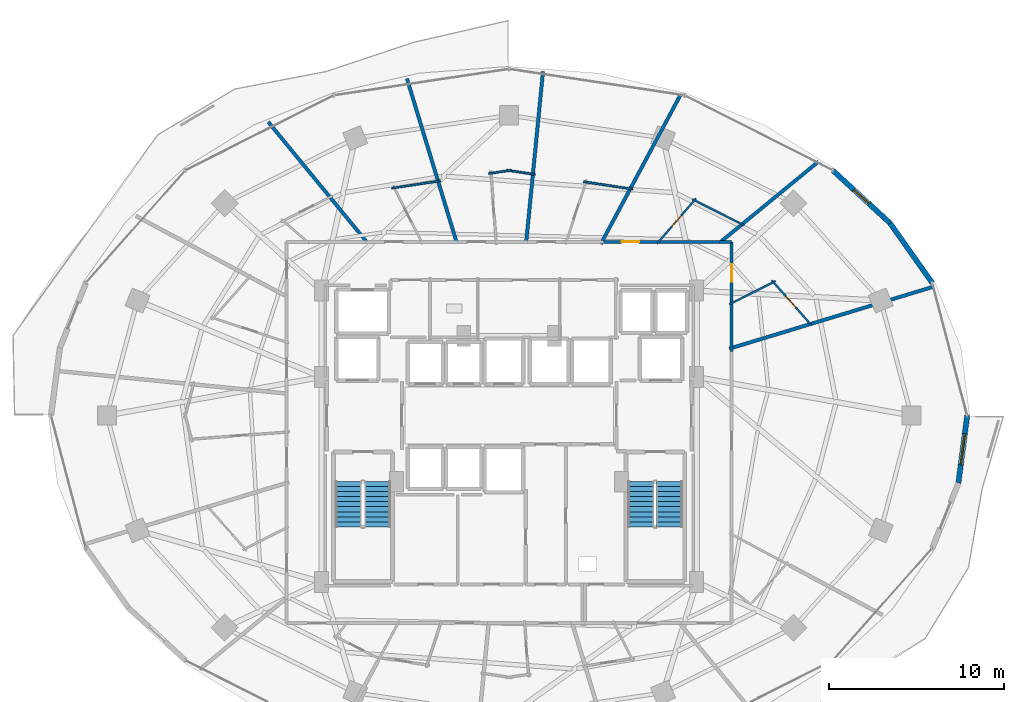
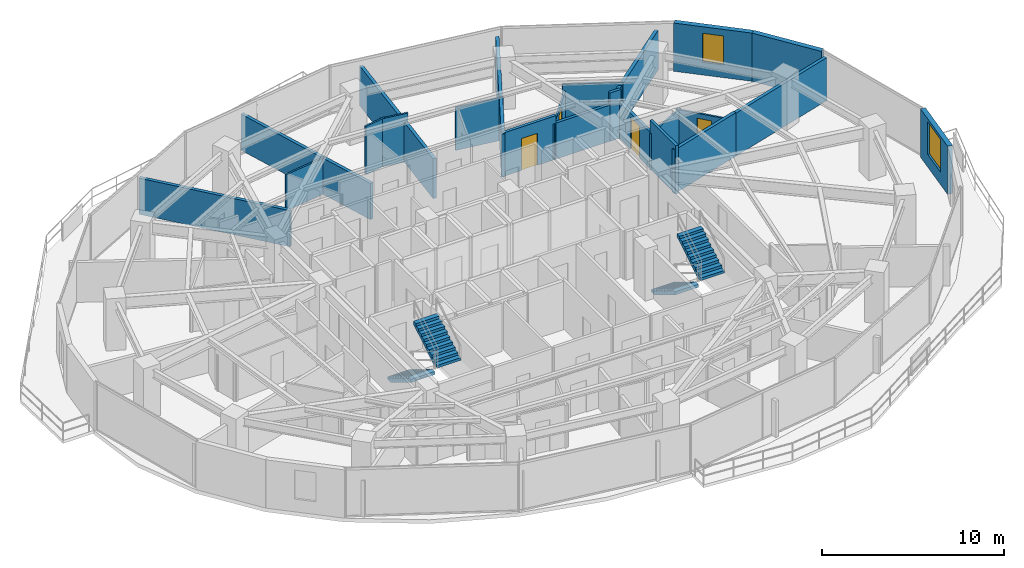
# One storey, part 25 of 29: 24 walls, 4 doors, 4 stair flights, 2 windows, 6 openings, 2 elements without a shape of their own.
"""IFC4 building model written with IfcOpenShell, lengths in metres."""

from ifc_helpers import new_model, si_unit, direction, frame, frame_2d, origin, place, context, subcontext, project, spatial, polyline, rectangle, outline, extrude, material, layer, layer_set, type_object, element, fill, aggregate, save


model = new_model("IFC4")

# Units and contexts
model_context = context("Model", 3, precision=1e-05, world=origin(), true_north=direction((0.0, 1.0)))
body_context = subcontext(model_context, "Body", "Model", "MODEL_VIEW")
ifc_project = project(units=[si_unit("LENGTHUNIT", "METRE"), si_unit("AREAUNIT", "SQUARE_METRE"), si_unit("VOLUMEUNIT", "CUBIC_METRE"), si_unit("PLANEANGLEUNIT", "RADIAN"), si_unit("MASSUNIT", "GRAM", prefix="KILO")], contexts=[model_context])

# Site, building, storey
site_placement = place(None, origin())
site = spatial("IfcSite", under=ifc_project, at=site_placement, CompositionType="ELEMENT")
building_placement = place(site_placement, origin())
building = spatial("IfcBuilding", under=site, at=building_placement, Name="Vorneva Point Tower", CompositionType="ELEMENT")
storey_placement = place(building_placement, frame((0.0, 0.0, 113.800048828125)))
storey = spatial("IfcBuildingStorey", under=building, at=storey_placement, Name="L30", CompositionType="ELEMENT", Elevation=113.800048828125)

# Wall
ifc_material_1 = material(Name="Precast concrete B50 (C40/50)", Category="concrete")
ifc_layer_1 = layer(ifc_material_1, 0.300048828125)
ifc_layer_set_1 = layer_set([ifc_layer_1], Name="Precast concrete B50 (C40/50)")
wall_type_1 = type_object("IfcWallType", Name="WL-EXT-300", PredefinedType="STANDARD", material=ifc_layer_set_1)
wall_1_placement = place(storey_placement, frame((62.251708984375, 33.59619140625, 0.0), z_axis=(0.0, 0.0, 1.0), x_axis=(-0.57716435238, 0.81662801222, 0.0)))
element("IfcWall", 1, at=wall_1_placement, inside=storey, type_object=wall_type_1, Name="L30 Pale-Metal Facade Spandrel Wall 02.1", PredefinedType="STANDARD", context=body_context, shape_type="SweptSolid", body=[
    extrude(rectangle(XDim=4.202392578125, YDim=0.300048828125, at=frame_2d((2.10107421875, 0.0))), origin(), (0.0, 0.0, 1.0), 3.239990234375),
])

# Wall, opening, window
wall_2_placement = place(storey_placement, frame((59.826171875, 37.028076171875, 0.0), z_axis=(0.0, 0.0, 1.0), x_axis=(-0.735416718093, 0.677615119924, 0.0)))
wall_2 = element("IfcWall", 2, at=wall_2_placement, inside=storey, type_object=wall_type_1, Name="L30 Pale-Metal Facade Spandrel Wall 02.2", PredefinedType="STANDARD", context=body_context, shape_type="SweptSolid", body=[
    extrude(rectangle(XDim=4.439208984375, YDim=0.300048828125, at=frame_2d((2.2197265625, 0.0))), origin(), (0.0, 0.0, 1.0), 3.239990234375),
])
opening_1_placement = place(wall_2_placement, frame((1.619384765625, 0.0, 0.85009765625)))
opening_1 = element("IfcOpeningElement", 3, at=opening_1_placement, cuts=wall_2, Name="Opening W-04", PredefinedType="OPENING", context=body_context, shape_type="SweptSolid", body=[
    extrude(rectangle(XDim=1.199951171875, YDim=1.949951171875, at=frame_2d((0.60009765625, 0.97509765625))), frame((0.0, 0.1650390625, 0.0), z_axis=(0.0, -1.0, 0.0), x_axis=(1.0, 0.0, 0.0)), (0.0, 0.0, 1.0), 0.329833984375),
])
ifc_material_2 = material(Name="Double low-e laminated glass IGU", Category="glass")
window_type_1 = type_object("IfcWindowType", Name="WN-RES-1200", PartitioningType="SINGLE_PANEL", PredefinedType="WINDOW", material=ifc_material_2)
window_1_placement = place(opening_1_placement, origin())
window_1 = element("IfcWindow", 4, at=window_1_placement, inside=storey, type_object=window_type_1, Name="L30 Dwelling Vision Window 01", OverallHeight=1.949951171875, OverallWidth=1.199951171875, PartitioningType="SINGLE_PANEL", PredefinedType="WINDOW", context=body_context, shape_type="SweptSolid", body=[
    extrude(rectangle(XDim=1.199951171875, YDim=1.949951171875, at=frame_2d((0.60009765625, 0.97509765625))), frame((0.0, 0.030029296875, 0.0), z_axis=(0.0, -1.0, 0.0), x_axis=(1.0, 0.0, 0.0)), (0.0, 0.0, 1.0), 0.06005859375),
])
fill(opening_1, window_1)

wall_3_placement = place(storey_placement, frame((63.74560546875, 22.12744140625, 0.0), z_axis=(0.0, 0.0, 1.0), x_axis=(0.129157444793, 0.991624099372, 0.0)))
wall_3 = element("IfcWall", 5, at=wall_3_placement, inside=storey, type_object=wall_type_1, Name="L30 Pale-Metal Facade Spandrel Wall 16.2", PredefinedType="STANDARD", context=body_context, shape_type="SweptSolid", body=[
    extrude(rectangle(XDim=3.9052734375, YDim=0.300048828125, at=frame_2d((1.95263671875, 0.0))), origin(), (0.0, 0.0, 1.0), 3.239990234375),
])
opening_2_placement = place(wall_3_placement, frame((1.052490234375, 0.0, 0.85009765625)))
opening_2 = element("IfcOpeningElement", 6, at=opening_2_placement, cuts=wall_3, Name="Opening W-01", PredefinedType="OPENING", context=body_context, shape_type="SweptSolid", body=[
    extrude(rectangle(XDim=1.800048828125, YDim=2.18994140625, at=frame_2d((0.89990234375, 1.094970703125))), frame((0.0, 0.1650390625, 0.0), z_axis=(0.0, -1.0, 0.0), x_axis=(1.0, 0.0, 0.0)), (0.0, 0.0, 1.0), 0.329833984375),
])
window_type_2 = type_object("IfcWindowType", Name="WN-LOG-1800", PartitioningType="SINGLE_PANEL", PredefinedType="WINDOW", material=ifc_material_2)
window_2_placement = place(opening_2_placement, origin())
window_2 = element("IfcWindow", 7, at=window_2_placement, inside=storey, type_object=window_type_2, Name="L30 Facade Window 16", OverallHeight=2.18994140625, OverallWidth=1.800048828125, PartitioningType="SINGLE_PANEL", PredefinedType="WINDOW", context=body_context, shape_type="SweptSolid", body=[
    extrude(rectangle(XDim=1.800048828125, YDim=2.18994140625, at=frame_2d((0.89990234375, 1.094970703125))), frame((0.0, 0.030029296875, 0.0), z_axis=(0.0, -1.0, 0.0), x_axis=(1.0, 0.0, 0.0)), (0.0, 0.0, 1.0), 0.06005859375),
])
fill(opening_2, window_2)

# Wall, opening, door
ifc_material_3 = material(Name="Fire-rated acoustic gypsum stud partition", Category="gypsum")
ifc_layer_2 = layer(ifc_material_3, 0.110107421875)
ifc_layer_set_2 = layer_set([ifc_layer_2], Name="Fire-rated acoustic gypsum stud partition")
wall_type_2 = type_object("IfcWallType", Name="WL-PART-110", PredefinedType="PARTITIONING", material=ifc_layer_set_2)
wall_4_placement = place(storey_placement, frame((53.04931640625, 33.745849609375, 0.0), z_axis=(0.0, 0.0, 1.0), x_axis=(0.662033979608, -0.749473821988, 0.0)))
wall_4 = element("IfcWall", 8, at=wall_4_placement, inside=storey, type_object=wall_type_2, Name="L30 Interior Partition 060", PredefinedType="PARTITIONING", context=body_context, shape_type="SweptSolid", body=[
    extrude(rectangle(XDim=3.30859375, YDim=0.110107421875, at=frame_2d((1.654296875, 0.0))), origin(), (0.0, 0.0, 1.0), 2.431884765625),
])
opening_3_placement = place(wall_4_placement, frame((1.229248046875, 0.0, 0.0)))
opening_3 = element("IfcOpeningElement", 9, at=opening_3_placement, cuts=wall_4, Name="Opening ID-02", PredefinedType="OPENING", context=body_context, shape_type="SweptSolid", body=[
    extrude(rectangle(XDim=0.85009765625, YDim=2.10009765625, at=frame_2d((0.425048828125, 1.050048828125))), frame((0.0, 0.06982421875, 0.0), z_axis=(0.0, -1.0, 0.0), x_axis=(1.0, 0.0, 0.0)), (0.0, 0.0, 1.0), 0.139892578125),
])
ifc_material_4 = material(Name="Engineered oak fire-rated door leaf", Category="wood")
door_type_1 = type_object("IfcDoorType", Name="DR-BATH-850", OperationType="NOTDEFINED", PredefinedType="DOOR", material=ifc_material_4)
door_1_placement = place(opening_3_placement, origin())
door_1 = element("IfcDoor", 10, at=door_1_placement, inside=storey, type_object=door_type_1, Name="L30 Door Twin Guest Room L30-01 / En-Suite Bathroom L30-01", OperationType="SINGLE_SWING_LEFT", OverallHeight=2.10009765625, OverallWidth=0.85009765625, PredefinedType="DOOR", context=body_context, shape_type="SweptSolid", body=[
    extrude(rectangle(XDim=0.85009765625, YDim=2.10009765625, at=frame_2d((0.425048828125, 1.050048828125))), frame((0.0, 0.02490234375, 0.0), z_axis=(0.0, -1.0, 0.0), x_axis=(1.0, 0.0, 0.0)), (0.0, 0.0, 1.0), 0.050048828125),
])
fill(opening_3, door_1)

# Walls
wall_5_placement = place(storey_placement, frame((50.625, 32.370849609375, 0.0), z_axis=(0.0, 0.0, 1.0), x_axis=(0.892771184856, 0.450510389992, 0.0)))
element("IfcWall", 11, at=wall_5_placement, inside=storey, type_object=wall_type_2, Name="L30 Interior Partition 061", PredefinedType="PARTITIONING", context=body_context, shape_type="SweptSolid", body=[
    extrude(rectangle(XDim=2.95947265625, YDim=0.110107421875, at=frame_2d((1.479736328125, 0.0))), origin(), (0.0, 0.0, 1.0), 2.431884765625),
])
wall_6_placement = place(storey_placement, frame((48.492919921875, 38.39599609375, 0.0), z_axis=(0.0, 0.0, 1.0), x_axis=(0.892546772035, -0.450954831142, 0.0)))
element("IfcWall", 12, at=wall_6_placement, inside=storey, type_object=wall_type_2, Name="L30 Interior Partition 065", PredefinedType="PARTITIONING", context=body_context, shape_type="SweptSolid", body=[
    extrude(rectangle(XDim=3.337646484375, YDim=0.110107421875, at=frame_2d((1.6689453125, 0.0))), origin(), (0.0, 0.0, 1.0), 2.885986328125),
])

# Wall, opening, door
wall_7_placement = place(storey_placement, frame((46.474609375, 35.843994140625, 0.0), z_axis=(0.0, 0.0, 1.0), x_axis=(0.652539053439, 0.757755094828, 0.0)))
wall_7 = element("IfcWall", 13, at=wall_7_placement, inside=storey, type_object=wall_type_2, Name="L30 Interior Partition 066", PredefinedType="PARTITIONING", context=body_context, shape_type="SweptSolid", body=[
    extrude(rectangle(XDim=3.4248046875, YDim=0.110107421875, at=frame_2d((1.71240234375, 0.0))), origin(), (0.0, 0.0, 1.0), 2.431884765625),
])
opening_4_placement = place(wall_7_placement, frame((1.287353515625, 0.0, 0.0)))
opening_4 = element("IfcOpeningElement", 14, at=opening_4_placement, cuts=wall_7, Name="Opening ID-02", PredefinedType="OPENING", context=body_context, shape_type="SweptSolid", body=[
    extrude(rectangle(XDim=0.85009765625, YDim=2.10009765625, at=frame_2d((0.425048828125, 1.050048828125))), frame((0.0, 0.06982421875, 0.0), z_axis=(0.0, -1.0, 0.0), x_axis=(1.0, 0.0, 0.0)), (0.0, 0.0, 1.0), 0.139892578125),
])
door_2_placement = place(opening_4_placement, origin())
door_2 = element("IfcDoor", 15, at=door_2_placement, inside=storey, type_object=door_type_1, Name="L30 Door Deluxe Guest Room L30-02 / En-Suite Bathroom L30-02", OperationType="SINGLE_SWING_RIGHT", OverallHeight=2.10009765625, OverallWidth=0.85009765625, PredefinedType="DOOR", context=body_context, shape_type="SweptSolid", body=[
    extrude(rectangle(XDim=0.85009765625, YDim=2.10009765625, at=frame_2d((0.425048828125, 1.050048828125))), frame((0.0, 0.02490234375, 0.0), z_axis=(0.0, -1.0, 0.0), x_axis=(1.0, 0.0, 0.0)), (0.0, 0.0, 1.0), 0.050048828125),
])
fill(opening_4, door_2)

# Walls
wall_8_placement = place(storey_placement, frame((42.2646484375, 39.39501953125, 0.0), z_axis=(0.0, 0.0, 1.0), x_axis=(0.988826742388, -0.149069358149, 0.0)))
element("IfcWall", 16, at=wall_8_placement, inside=storey, type_object=wall_type_2, Name="L30 Interior Partition 070", PredefinedType="PARTITIONING", context=body_context, shape_type="SweptSolid", body=[
    extrude(rectangle(XDim=2.849609375, YDim=0.110107421875, at=frame_2d((1.4248046875, 0.0))), origin(), (0.0, 0.0, 1.0), 2.885986328125),
])
wall_9_placement = place(storey_placement, frame((36.823486328125, 39.859130859375, 0.0), z_axis=(0.0, 0.0, 1.0), x_axis=(0.98887971903, 0.1487175218, 0.0)))
element("IfcWall", 17, at=wall_9_placement, inside=storey, type_object=wall_type_2, Name="L30 Interior Partition 072", PredefinedType="PARTITIONING", context=body_context, shape_type="SweptSolid", body=[
    extrude(rectangle(XDim=1.329833984375, YDim=0.110107421875, at=frame_2d((0.6650390625, 0.0))), origin(), (0.0, 0.0, 1.0), 3.239990234375),
])
wall_10_placement = place(storey_placement, frame((37.861572265625, 40.056884765625, 0.0), z_axis=(0.0, 0.0, 1.0), x_axis=(0.988870345378, -0.148779837454, 0.0)))
element("IfcWall", 18, at=wall_10_placement, inside=storey, type_object=wall_type_2, Name="L30 Interior Partition 073", PredefinedType="PARTITIONING", context=body_context, shape_type="SweptSolid", body=[
    extrude(rectangle(XDim=1.657470703125, YDim=0.110107421875, at=frame_2d((0.82861328125, 0.0))), origin(), (0.0, 0.0, 1.0), 3.239990234375),
])
wall_11_placement = place(storey_placement, frame((31.278564453125, 39.025146484375, 0.0), z_axis=(0.0, 0.0, 1.0), x_axis=(0.988909021514, 0.148522547675, 0.0)))
element("IfcWall", 19, at=wall_11_placement, inside=storey, type_object=wall_type_2, Name="L30 Interior Partition 076", PredefinedType="PARTITIONING", context=body_context, shape_type="SweptSolid", body=[
    extrude(rectangle(XDim=2.819091796875, YDim=0.110107421875, at=frame_2d((1.40966796875, 0.0))), origin(), (0.0, 0.0, 1.0), 2.431884765625),
])

# Wall, opening, door
ifc_material_5 = material(Name="Autoclaved aerated concrete blockwork", Category="masonry")
ifc_layer_3 = layer(ifc_material_5, 0.179931640625)
ifc_layer_set_3 = layer_set([ifc_layer_3], Name="Autoclaved aerated concrete blockwork")
wall_type_3 = type_object("IfcWallType", Name="WL-PART-180", PredefinedType="PARTITIONING", material=ifc_layer_set_3)
wall_12_placement = place(storey_placement, frame((50.75, 32.3740234375, 0.0), z_axis=(0.0, 0.0, 1.0), x_axis=(0.0, 1.0, 0.0)))
wall_12 = element("IfcWall", 20, at=wall_12_placement, inside=storey, type_object=wall_type_3, Name="L30 Interior Partition 024", PredefinedType="PARTITIONING", context=body_context, shape_type="SweptSolid", body=[
    extrude(rectangle(XDim=3.575927734375, YDim=0.179931640625, at=frame_2d((1.7880859375, 0.0))), origin(), (0.0, 0.0, 1.0), 2.431884765625),
])
opening_5_placement = place(wall_12_placement, frame((1.2880859375, 0.0, 0.0)))
opening_5 = element("IfcOpeningElement", 21, at=opening_5_placement, cuts=wall_12, Name="Opening UD-01", PredefinedType="OPENING", context=body_context, shape_type="SweptSolid", body=[
    extrude(rectangle(XDim=1.0, YDim=2.14990234375, at=frame_2d((0.5, 1.074951171875))), frame((0.0, 0.10498046875, 0.0), z_axis=(0.0, -1.0, 0.0), x_axis=(1.0, 0.0, 0.0)), (0.0, 0.0, 1.0), 0.209716796875),
])
door_type_2 = type_object("IfcDoorType", Name="DR-UNIT-1000", OperationType="NOTDEFINED", PredefinedType="DOOR", material=ifc_material_4)
door_3_placement = place(opening_5_placement, origin())
door_3 = element("IfcDoor", 22, at=door_3_placement, inside=storey, type_object=door_type_2, Name="L30 Door L30 Circulation Corridor / Twin Guest Room L30-01", OperationType="SINGLE_SWING_RIGHT", OverallHeight=2.14990234375, OverallWidth=1.0, PredefinedType="DOOR", context=body_context, shape_type="SweptSolid", body=[
    extrude(rectangle(XDim=1.0, YDim=2.14990234375, at=frame_2d((0.5, 1.074951171875))), frame((0.0, 0.02490234375, 0.0), z_axis=(0.0, -1.0, 0.0), x_axis=(1.0, 0.0, 0.0)), (0.0, 0.0, 1.0), 0.050048828125),
])
fill(opening_5, door_3)

# Walls
wall_13_placement = place(storey_placement, frame((50.75, 35.949951171875, 0.0), z_axis=(0.0, 0.0, 1.0), x_axis=(-1.0, 0.0, 0.0)))
element("IfcWall", 23, at=wall_13_placement, inside=storey, type_object=wall_type_3, Name="L30 Interior Partition 025", PredefinedType="PARTITIONING", context=body_context, shape_type="SweptSolid", body=[
    extrude(rectangle(XDim=0.68603515625, YDim=0.179931640625, at=frame_2d((0.343017578125, 0.0))), origin(), (0.0, 0.0, 1.0), 3.239990234375),
])
wall_14_placement = place(storey_placement, frame((50.75, 29.66796875, 0.0), z_axis=(0.0, 0.0, 1.0), x_axis=(0.0, 1.0, 0.0)))
element("IfcWall", 24, at=wall_14_placement, inside=storey, type_object=wall_type_3, Name="L30 Interior Partition 026", PredefinedType="PARTITIONING", context=body_context, shape_type="SweptSolid", body=[
    extrude(rectangle(XDim=2.845947265625, YDim=0.179931640625, at=frame_2d((1.4228515625, 0.0))), origin(), (0.0, 0.0, 1.0), 3.239990234375),
])

# Wall, opening, door
wall_15_placement = place(storey_placement, frame((46.64501953125, 35.949951171875, 0.0), z_axis=(0.0, 0.0, 1.0), x_axis=(-1.0, 0.0, 0.0)))
wall_15 = element("IfcWall", 25, at=wall_15_placement, inside=storey, type_object=wall_type_3, Name="L30 Interior Partition 027", PredefinedType="PARTITIONING", context=body_context, shape_type="SweptSolid", body=[
    extrude(rectangle(XDim=3.386962890625, YDim=0.179931640625, at=frame_2d((1.693359375, 0.0))), origin(), (0.0, 0.0, 1.0), 2.928955078125),
])
opening_6_placement = place(wall_15_placement, frame((1.193603515625, 0.0, 0.0)))
opening_6 = element("IfcOpeningElement", 26, at=opening_6_placement, cuts=wall_15, Name="Opening UD-01", PredefinedType="OPENING", context=body_context, shape_type="SweptSolid", body=[
    extrude(rectangle(XDim=1.0, YDim=2.14990234375, at=frame_2d((0.5, 1.074951171875))), frame((0.0, 0.10498046875, 0.0), z_axis=(0.0, -1.0, 0.0), x_axis=(1.0, 0.0, 0.0)), (0.0, 0.0, 1.0), 0.209716796875),
])
door_4_placement = place(opening_6_placement, origin())
door_4 = element("IfcDoor", 27, at=door_4_placement, inside=storey, type_object=door_type_2, Name="L30 Door L30 Circulation Corridor / Deluxe Guest Room L30-02", OperationType="SINGLE_SWING_LEFT", OverallHeight=2.14990234375, OverallWidth=1.0, PredefinedType="DOOR", context=body_context, shape_type="SweptSolid", body=[
    extrude(rectangle(XDim=1.0, YDim=2.14990234375, at=frame_2d((0.5, 1.074951171875))), frame((0.0, 0.02490234375, 0.0), z_axis=(0.0, -1.0, 0.0), x_axis=(1.0, 0.0, 0.0)), (0.0, 0.0, 1.0), 0.050048828125),
])
fill(opening_6, door_4)

# Walls
wall_16_placement = place(storey_placement, frame((50.2041015625, 35.949951171875, 0.0), z_axis=(0.0, 0.0, 1.0), x_axis=(-1.0, 0.0, 0.0)))
element("IfcWall", 28, at=wall_16_placement, inside=storey, type_object=wall_type_3, Name="L30 Interior Partition 028", PredefinedType="PARTITIONING", context=body_context, shape_type="SweptSolid", body=[
    extrude(rectangle(XDim=3.69921875, YDim=0.179931640625, at=frame_2d((1.849609375, 0.0))), origin(), (0.0, 0.0, 1.0), 2.431884765625),
])
ifc_layer_4 = layer(ifc_material_5, 0.199951171875)
ifc_layer_set_4 = layer_set([ifc_layer_4], Name="Autoclaved aerated concrete blockwork")
wall_type_4 = type_object("IfcWallType", Name="WL-PART-200", PredefinedType="PARTITIONING", material=ifc_layer_set_4)
wall_17_placement = place(storey_placement, frame((55.72802734375, 40.549072265625, 0.0), z_axis=(0.0, 0.0, 1.0), x_axis=(-0.773008157237, -0.634396081991, 0.0)))
element("IfcWall", 29, at=wall_17_placement, inside=storey, type_object=wall_type_4, Name="L30 Interior Partition 062", PredefinedType="PARTITIONING", context=body_context, shape_type="SweptSolid", body=[
    extrude(rectangle(XDim=7.24951171875, YDim=0.199951171875, at=frame_2d((3.624755859375, 0.0))), origin(), (0.0, 0.0, 1.0), 2.677001953125),
])
wall_18_placement = place(storey_placement, frame((55.18798828125, 31.214111328125, 0.0), z_axis=(0.0, 0.0, 1.0), x_axis=(0.956927603812, 0.290326645457, 0.0)))
element("IfcWall", 30, at=wall_18_placement, inside=storey, type_object=wall_type_4, Name="L30 Interior Partition 063", PredefinedType="PARTITIONING", context=body_context, shape_type="SweptSolid", body=[
    extrude(rectangle(XDim=7.470703125, YDim=0.199951171875, at=frame_2d((3.7353515625, 0.0))), origin(), (0.0, 0.0, 1.0), 2.885986328125),
])
wall_19_placement = place(storey_placement, frame((50.615966796875, 29.827392578125, 0.0), z_axis=(0.0, 0.0, 1.0), x_axis=(0.956958408929, 0.290225091232, 0.0)))
element("IfcWall", 31, at=wall_19_placement, inside=storey, type_object=wall_type_4, Name="L30 Interior Partition 064", PredefinedType="PARTITIONING", context=body_context, shape_type="SweptSolid", body=[
    extrude(rectangle(XDim=4.917724609375, YDim=0.199951171875, at=frame_2d((2.458984375, 0.0))), origin(), (0.0, 0.0, 1.0), 2.928955078125),
])
wall_20_placement = place(storey_placement, frame((47.827880859375, 44.386962890625, 0.0), z_axis=(0.0, 0.0, 1.0), x_axis=(-0.471360852561, -0.881940443949, 0.0)))
element("IfcWall", 32, at=wall_20_placement, inside=storey, type_object=wall_type_4, Name="L30 Interior Partition 067", PredefinedType="PARTITIONING", context=body_context, shape_type="SweptSolid", body=[
    extrude(rectangle(XDim=6.181640625, YDim=0.199951171875, at=frame_2d((3.0908203125, 0.0))), origin(), (0.0, 0.0, 1.0), 2.677001953125),
])
wall_21_placement = place(storey_placement, frame((44.979736328125, 39.05859375, 0.0), z_axis=(0.0, 0.0, 1.0), x_axis=(-0.47142818978, -0.881904451673, 0.0)))
element("IfcWall", 33, at=wall_21_placement, inside=storey, type_object=wall_type_4, Name="L30 Interior Partition 068", PredefinedType="PARTITIONING", context=body_context, shape_type="SweptSolid", body=[
    extrude(rectangle(XDim=3.6650390625, YDim=0.199951171875, at=frame_2d((1.83251953125, 0.0))), origin(), (0.0, 0.0, 1.0), 2.885986328125),
])
wall_22_placement = place(storey_placement, frame((39.94091796875, 45.705078125, 0.0), z_axis=(0.0, 0.0, 1.0), x_axis=(-0.098031422457, -0.995183319902, 0.0)))
element("IfcWall", 34, at=wall_22_placement, inside=storey, type_object=wall_type_4, Name="L30 Interior Partition 071", PredefinedType="PARTITIONING", context=body_context, shape_type="SweptSolid", body=[
    extrude(rectangle(XDim=9.80224609375, YDim=0.199951171875, at=frame_2d((4.901123046875, 0.0))), origin(), (0.0, 0.0, 1.0), 2.677001953125),
])
wall_23_placement = place(storey_placement, frame((32.14501953125, 45.300048828125, 0.0), z_axis=(0.0, 0.0, 1.0), x_axis=(0.290340247573, -0.956923476898, 0.0)))
element("IfcWall", 35, at=wall_23_placement, inside=storey, type_object=wall_type_4, Name="L30 Interior Partition 075", PredefinedType="PARTITIONING", context=body_context, shape_type="SweptSolid", body=[
    extrude(rectangle(XDim=9.77099609375, YDim=0.199951171875, at=frame_2d((4.885498046875, 0.0))), origin(), (0.0, 0.0, 1.0), 2.431884765625),
])
wall_24_placement = place(storey_placement, frame((24.197998046875, 42.818115234375, 0.0), z_axis=(0.0, 0.0, 1.0), x_axis=(0.634354930471, -0.773041927833, 0.0)))
element("IfcWall", 36, at=wall_24_placement, inside=storey, type_object=wall_type_4, Name="L30 Interior Partition 078", PredefinedType="PARTITIONING", context=body_context, shape_type="SweptSolid", body=[
    extrude(rectangle(XDim=8.884521484375, YDim=0.199951171875, at=frame_2d((4.4423828125, 0.0))), origin(), (0.0, 0.0, 1.0), 2.431884765625),
])

# Stair, stair flights
ifc_material_6 = material(Name="Concrete B50 (C40/50)", Category="concrete")
stair_type = type_object("IfcStairType", Name="ST-DOG-1500", PredefinedType="HALF_TURN_STAIR", material=ifc_material_6)
stair_1_placement = place(storey_placement, origin())
stair_1 = element("IfcStair", 37, at=stair_1_placement, inside=storey, type_object=stair_type, Name="L30 ST1", PredefinedType="HALF_TURN_STAIR")
stair_flight_type = type_object("IfcStairFlightType", Name="STF-1500", PredefinedType="STRAIGHT", material=ifc_material_6)
stair_flight_1_placement = place(storey_placement, frame((28.800048828125, 22.219970703125, 0.0), z_axis=(0.0, 0.0, 1.0), x_axis=(0.0, -1.0, 0.0)))
stair_flight_1 = element("IfcStairFlight", 38, at=stair_flight_1_placement, type_object=stair_flight_type, Name="ST1 flight 1", NumberOfRisers=10, NumberOfTreads=9, PredefinedType="STRAIGHT", RiserHeight=0.175, TreadLength=0.29, context=body_context, shape_type="SweptSolid", body=[
    extrude(outline(polyline([(0.0, 0.0), (0.0, 0.175048828125), (0.2900390625, 0.175048828125), (0.2900390625, 0.35009765625), (0.580078125, 0.35009765625), (0.580078125, 0.52490234375), (0.8701171875, 0.52490234375), (0.8701171875, 0.699951171875), (1.159912109375, 0.699951171875), (1.159912109375, 0.875), (1.449951171875, 0.875), (1.449951171875, 1.050048828125), (1.739990234375, 1.050048828125), (1.739990234375, 1.22509765625), (2.030029296875, 1.22509765625), (2.030029296875, 1.39990234375), (2.320068359375, 1.39990234375), (2.320068359375, 1.574951171875), (2.610107421875, 1.574951171875), (2.610107421875, 1.75), (2.610107421875, 1.36474609375), (0.34814453125, 0.0), (0.0, 0.0)])), frame((0.0, 0.75, 0.0), z_axis=(0.0, -1.0, 0.0), x_axis=(1.0, 0.0, 0.0)), (0.0, 0.0, 1.0), 1.5),
])
stair_flight_2_placement = place(storey_placement, frame((30.449951171875, 19.610107421875, 1.75), z_axis=(0.0, 0.0, 1.0), x_axis=(0.0, 1.0, 0.0)))
stair_flight_2 = element("IfcStairFlight", 39, at=stair_flight_2_placement, type_object=stair_flight_type, Name="ST1 flight 2", NumberOfRisers=10, NumberOfTreads=9, PredefinedType="STRAIGHT", RiserHeight=0.175, TreadLength=0.29, context=body_context, shape_type="SweptSolid", body=[
    extrude(outline(polyline([(0.0, 0.0), (0.0, 0.175048828125), (0.2900390625, 0.175048828125), (0.2900390625, 0.35009765625), (0.580078125, 0.35009765625), (0.580078125, 0.52490234375), (0.8701171875, 0.52490234375), (0.8701171875, 0.699951171875), (1.159912109375, 0.699951171875), (1.159912109375, 0.875), (1.449951171875, 0.875), (1.449951171875, 1.050048828125), (1.739990234375, 1.050048828125), (1.739990234375, 1.22509765625), (2.030029296875, 1.22509765625), (2.030029296875, 1.39990234375), (2.320068359375, 1.39990234375), (2.320068359375, 1.574951171875), (2.610107421875, 1.574951171875), (2.610107421875, 1.75), (2.610107421875, 1.36474609375), (0.34814453125, 0.0), (0.0, 0.0)])), frame((0.0, 0.75, 0.0), z_axis=(0.0, -1.0, 0.0), x_axis=(1.0, 0.0, 0.0)), (0.0, 0.0, 1.0), 1.5),
])
aggregate(stair_1, [stair_flight_1, stair_flight_2])

stair_2_placement = place(storey_placement, origin())
stair_2 = element("IfcStair", 40, at=stair_2_placement, inside=storey, type_object=stair_type, Name="L30 ST2", PredefinedType="HALF_TURN_STAIR")
stair_flight_3_placement = place(storey_placement, frame((45.550048828125, 22.219970703125, 0.0), z_axis=(0.0, 0.0, 1.0), x_axis=(0.0, -1.0, 0.0)))
stair_flight_3 = element("IfcStairFlight", 41, at=stair_flight_3_placement, type_object=stair_flight_type, Name="ST2 flight 1", NumberOfRisers=10, NumberOfTreads=9, PredefinedType="STRAIGHT", RiserHeight=0.175, TreadLength=0.29, context=body_context, shape_type="SweptSolid", body=[
    extrude(outline(polyline([(0.0, 0.0), (0.0, 0.175048828125), (0.2900390625, 0.175048828125), (0.2900390625, 0.35009765625), (0.580078125, 0.35009765625), (0.580078125, 0.52490234375), (0.8701171875, 0.52490234375), (0.8701171875, 0.699951171875), (1.159912109375, 0.699951171875), (1.159912109375, 0.875), (1.449951171875, 0.875), (1.449951171875, 1.050048828125), (1.739990234375, 1.050048828125), (1.739990234375, 1.22509765625), (2.030029296875, 1.22509765625), (2.030029296875, 1.39990234375), (2.320068359375, 1.39990234375), (2.320068359375, 1.574951171875), (2.610107421875, 1.574951171875), (2.610107421875, 1.75), (2.610107421875, 1.36474609375), (0.34814453125, 0.0), (0.0, 0.0)])), frame((0.0, 0.75, 0.0), z_axis=(0.0, -1.0, 0.0), x_axis=(1.0, 0.0, 0.0)), (0.0, 0.0, 1.0), 1.5),
])
stair_flight_4_placement = place(storey_placement, frame((47.199951171875, 19.610107421875, 1.75), z_axis=(0.0, 0.0, 1.0), x_axis=(0.0, 1.0, 0.0)))
stair_flight_4 = element("IfcStairFlight", 42, at=stair_flight_4_placement, type_object=stair_flight_type, Name="ST2 flight 2", NumberOfRisers=10, NumberOfTreads=9, PredefinedType="STRAIGHT", RiserHeight=0.175, TreadLength=0.29, context=body_context, shape_type="SweptSolid", body=[
    extrude(outline(polyline([(0.0, 0.0), (0.0, 0.175048828125), (0.2900390625, 0.175048828125), (0.2900390625, 0.35009765625), (0.580078125, 0.35009765625), (0.580078125, 0.52490234375), (0.8701171875, 0.52490234375), (0.8701171875, 0.699951171875), (1.159912109375, 0.699951171875), (1.159912109375, 0.875), (1.449951171875, 0.875), (1.449951171875, 1.050048828125), (1.739990234375, 1.050048828125), (1.739990234375, 1.22509765625), (2.030029296875, 1.22509765625), (2.030029296875, 1.39990234375), (2.320068359375, 1.39990234375), (2.320068359375, 1.574951171875), (2.610107421875, 1.574951171875), (2.610107421875, 1.75), (2.610107421875, 1.36474609375), (0.34814453125, 0.0), (0.0, 0.0)])), frame((0.0, 0.75, 0.0), z_axis=(0.0, -1.0, 0.0), x_axis=(1.0, 0.0, 0.0)), (0.0, 0.0, 1.0), 1.5),
])
aggregate(stair_2, [stair_flight_3, stair_flight_4])

save(model, "model.ifc")
